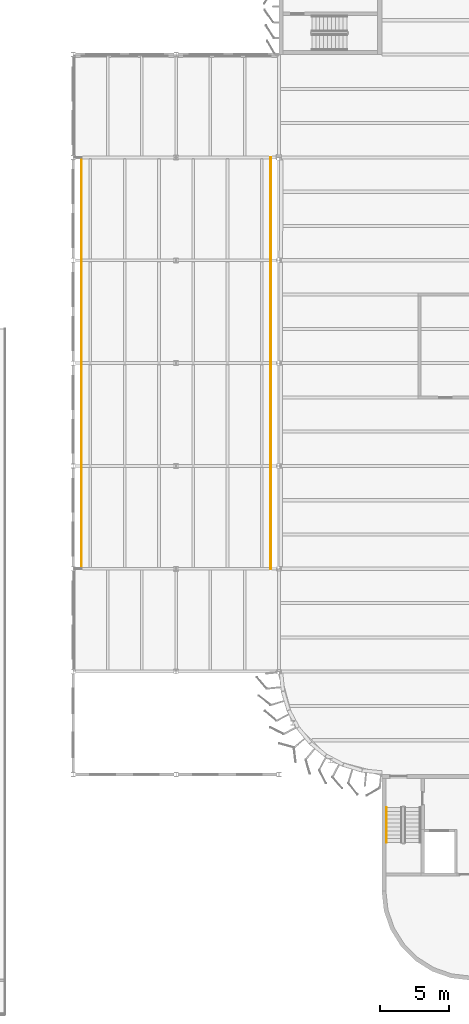
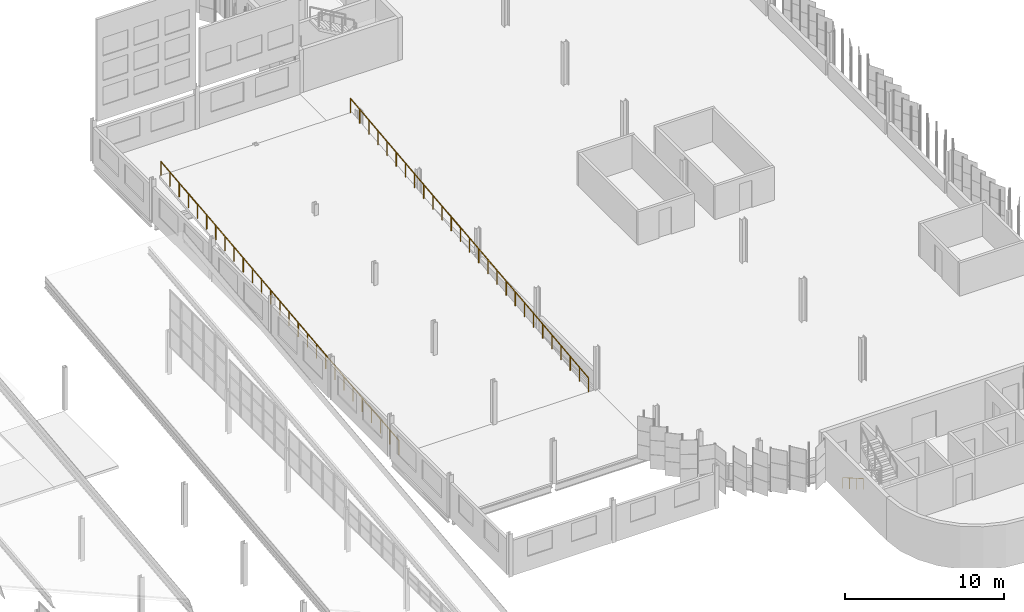
# One storey, part 188 of 199: 3 railings.
"""IFC4 building model written with IfcOpenShell, lengths in metres."""

from ifc_helpers import new_model, si_unit, direction, frame, origin, origin_2d, place, context, subcontext, project, spatial, circle, extrude, material, type_object, element, save


model = new_model("IFC4")

# Units and contexts
model_context = context("Model", 3, precision=1e-05, world=origin(), true_north=direction((0.0, 1.0)))
body_context = subcontext(model_context, "Body", "Model", "MODEL_VIEW")
ifc_project = project(units=[si_unit("LENGTHUNIT", "METRE"), si_unit("AREAUNIT", "SQUARE_METRE"), si_unit("VOLUMEUNIT", "CUBIC_METRE"), si_unit("PLANEANGLEUNIT", "RADIAN"), si_unit("MASSUNIT", "GRAM", prefix="KILO")], contexts=[model_context])

# Site, building, storey
site_placement = place(None, origin())
site = spatial("IfcSite", under=ifc_project, at=site_placement, CompositionType="ELEMENT")
building_placement = place(site_placement, origin())
building = spatial("IfcBuilding", under=site, at=building_placement, Name="Parallax Yard Mobility Hub", CompositionType="ELEMENT")
storey_placement = place(building_placement, frame((0.0, 0.0, 9.89990234375)))
storey = spatial("IfcBuildingStorey", under=building, at=storey_placement, Name="L03", CompositionType="ELEMENT", Elevation=9.89990234375)

# Railings
ifc_material = material(Name="Steel ASTM A36", Category="steel")
railing_type_1 = type_object("IfcRailingType", Name="Ramp guard 1100", PredefinedType="GUARDRAIL", material=ifc_material)
railing_1_placement = place(storey_placement, frame((180.60009765625, 37.5, 0.0)))
element("IfcRailing", 1, at=railing_1_placement, inside=storey, type_object=railing_type_1, Name="Ramp RP4 west guard", PredefinedType="GUARDRAIL", context=body_context, shape_type="SweptSolid", body=[
    extrude(circle(Radius=0.02392578125, at=origin_2d()), frame((0.0, 0.0, 1.076171875), z_axis=(0.0, 0.994004180099, 0.109342077656), x_axis=(-1.0, 0.0, 0.0)), (0.0, 0.0, 1.0), 30.180908203125),
    extrude(circle(Radius=0.02099609375, at=origin_2d()), origin(), (0.0, 0.0, 1.0), 1.052001953125),
    extrude(circle(Radius=0.02099609375, at=origin_2d()), frame((0.0, 1.15380859375, 0.126953125)), (0.0, 0.0, 1.0), 1.052001953125),
    extrude(circle(Radius=0.02099609375, at=origin_2d()), frame((0.0, 2.3076171875, 0.25390625)), (0.0, 0.0, 1.0), 1.052001953125),
    extrude(circle(Radius=0.02099609375, at=origin_2d()), frame((0.0, 3.46142578125, 0.380859375)), (0.0, 0.0, 1.0), 1.052001953125),
    extrude(circle(Radius=0.02099609375, at=origin_2d()), frame((0.0, 4.615478515625, 0.5078125)), (0.0, 0.0, 1.0), 1.052001953125),
    extrude(circle(Radius=0.02099609375, at=origin_2d()), frame((0.0, 5.769287109375, 0.634521484375)), (0.0, 0.0, 1.0), 1.052001953125),
    extrude(circle(Radius=0.02099609375, at=origin_2d()), frame((0.0, 6.923095703125, 0.761474609375)), (0.0, 0.0, 1.0), 1.052001953125),
    extrude(circle(Radius=0.02099609375, at=origin_2d()), frame((0.0, 8.076904296875, 0.888427734375)), (0.0, 0.0, 1.0), 1.052001953125),
    extrude(circle(Radius=0.02099609375, at=origin_2d()), frame((0.0, 9.230712890625, 1.015380859375)), (0.0, 0.0, 1.0), 1.052001953125),
    extrude(circle(Radius=0.02099609375, at=origin_2d()), frame((0.0, 10.384521484375, 1.142333984375)), (0.0, 0.0, 1.0), 1.052001953125),
    extrude(circle(Radius=0.02099609375, at=origin_2d()), frame((0.0, 11.53857421875, 1.269287109375)), (0.0, 0.0, 1.0), 1.052001953125),
    extrude(circle(Radius=0.02099609375, at=origin_2d()), frame((0.0, 12.6923828125, 1.396240234375)), (0.0, 0.0, 1.0), 1.052001953125),
    extrude(circle(Radius=0.02099609375, at=origin_2d()), frame((0.0, 13.84619140625, 1.523193359375)), (0.0, 0.0, 1.0), 1.052001953125),
    extrude(circle(Radius=0.02099609375, at=origin_2d()), frame((0.0, 15.0, 1.64990234375)), (0.0, 0.0, 1.0), 1.052001953125),
    extrude(circle(Radius=0.02099609375, at=origin_2d()), frame((0.0, 16.15380859375, 1.77685546875)), (0.0, 0.0, 1.0), 1.052001953125),
    extrude(circle(Radius=0.02099609375, at=origin_2d()), frame((0.0, 17.3076171875, 1.90380859375)), (0.0, 0.0, 1.0), 1.052001953125),
    extrude(circle(Radius=0.02099609375, at=origin_2d()), frame((0.0, 18.46142578125, 2.03076171875)), (0.0, 0.0, 1.0), 1.052001953125),
    extrude(circle(Radius=0.02099609375, at=origin_2d()), frame((0.0, 19.615478515625, 2.15771484375)), (0.0, 0.0, 1.0), 1.052001953125),
    extrude(circle(Radius=0.02099609375, at=origin_2d()), frame((0.0, 20.769287109375, 2.28466796875)), (0.0, 0.0, 1.0), 1.052001953125),
    extrude(circle(Radius=0.02099609375, at=origin_2d()), frame((0.0, 21.923095703125, 2.41162109375)), (0.0, 0.0, 1.0), 1.052001953125),
    extrude(circle(Radius=0.02099609375, at=origin_2d()), frame((0.0, 23.076904296875, 2.53857421875)), (0.0, 0.0, 1.0), 1.052001953125),
    extrude(circle(Radius=0.02099609375, at=origin_2d()), frame((0.0, 24.230712890625, 2.66552734375)), (0.0, 0.0, 1.0), 1.052001953125),
    extrude(circle(Radius=0.02099609375, at=origin_2d()), frame((0.0, 25.384521484375, 2.792236328125)), (0.0, 0.0, 1.0), 1.052001953125),
    extrude(circle(Radius=0.02099609375, at=origin_2d()), frame((0.0, 26.53857421875, 2.919189453125)), (0.0, 0.0, 1.0), 1.052001953125),
    extrude(circle(Radius=0.02099609375, at=origin_2d()), frame((0.0, 27.6923828125, 3.046142578125)), (0.0, 0.0, 1.0), 1.052001953125),
    extrude(circle(Radius=0.02099609375, at=origin_2d()), frame((0.0, 28.84619140625, 3.173095703125)), (0.0, 0.0, 1.0), 1.052001953125),
    extrude(circle(Radius=0.02099609375, at=origin_2d()), frame((0.0, 30.0, 3.300048828125)), (0.0, 0.0, 1.0), 1.052001953125),
])
railing_2_placement = place(storey_placement, frame((194.39990234375, 37.5, 0.0)))
element("IfcRailing", 2, at=railing_2_placement, inside=storey, type_object=railing_type_1, Name="Ramp RP4 east guard", PredefinedType="GUARDRAIL", context=body_context, shape_type="SweptSolid", body=[
    extrude(circle(Radius=0.02392578125, at=origin_2d()), frame((0.0, 0.0, 1.076171875), z_axis=(0.0, 0.994004180099, 0.109342077656), x_axis=(-1.0, 0.0, 0.0)), (0.0, 0.0, 1.0), 30.180908203125),
    extrude(circle(Radius=0.02099609375, at=origin_2d()), origin(), (0.0, 0.0, 1.0), 1.052001953125),
    extrude(circle(Radius=0.02099609375, at=origin_2d()), frame((0.0, 1.15380859375, 0.126953125)), (0.0, 0.0, 1.0), 1.052001953125),
    extrude(circle(Radius=0.02099609375, at=origin_2d()), frame((0.0, 2.3076171875, 0.25390625)), (0.0, 0.0, 1.0), 1.052001953125),
    extrude(circle(Radius=0.02099609375, at=origin_2d()), frame((0.0, 3.46142578125, 0.380859375)), (0.0, 0.0, 1.0), 1.052001953125),
    extrude(circle(Radius=0.02099609375, at=origin_2d()), frame((0.0, 4.615478515625, 0.5078125)), (0.0, 0.0, 1.0), 1.052001953125),
    extrude(circle(Radius=0.02099609375, at=origin_2d()), frame((0.0, 5.769287109375, 0.634521484375)), (0.0, 0.0, 1.0), 1.052001953125),
    extrude(circle(Radius=0.02099609375, at=origin_2d()), frame((0.0, 6.923095703125, 0.761474609375)), (0.0, 0.0, 1.0), 1.052001953125),
    extrude(circle(Radius=0.02099609375, at=origin_2d()), frame((0.0, 8.076904296875, 0.888427734375)), (0.0, 0.0, 1.0), 1.052001953125),
    extrude(circle(Radius=0.02099609375, at=origin_2d()), frame((0.0, 9.230712890625, 1.015380859375)), (0.0, 0.0, 1.0), 1.052001953125),
    extrude(circle(Radius=0.02099609375, at=origin_2d()), frame((0.0, 10.384521484375, 1.142333984375)), (0.0, 0.0, 1.0), 1.052001953125),
    extrude(circle(Radius=0.02099609375, at=origin_2d()), frame((0.0, 11.53857421875, 1.269287109375)), (0.0, 0.0, 1.0), 1.052001953125),
    extrude(circle(Radius=0.02099609375, at=origin_2d()), frame((0.0, 12.6923828125, 1.396240234375)), (0.0, 0.0, 1.0), 1.052001953125),
    extrude(circle(Radius=0.02099609375, at=origin_2d()), frame((0.0, 13.84619140625, 1.523193359375)), (0.0, 0.0, 1.0), 1.052001953125),
    extrude(circle(Radius=0.02099609375, at=origin_2d()), frame((0.0, 15.0, 1.64990234375)), (0.0, 0.0, 1.0), 1.052001953125),
    extrude(circle(Radius=0.02099609375, at=origin_2d()), frame((0.0, 16.15380859375, 1.77685546875)), (0.0, 0.0, 1.0), 1.052001953125),
    extrude(circle(Radius=0.02099609375, at=origin_2d()), frame((0.0, 17.3076171875, 1.90380859375)), (0.0, 0.0, 1.0), 1.052001953125),
    extrude(circle(Radius=0.02099609375, at=origin_2d()), frame((0.0, 18.46142578125, 2.03076171875)), (0.0, 0.0, 1.0), 1.052001953125),
    extrude(circle(Radius=0.02099609375, at=origin_2d()), frame((0.0, 19.615478515625, 2.15771484375)), (0.0, 0.0, 1.0), 1.052001953125),
    extrude(circle(Radius=0.02099609375, at=origin_2d()), frame((0.0, 20.769287109375, 2.28466796875)), (0.0, 0.0, 1.0), 1.052001953125),
    extrude(circle(Radius=0.02099609375, at=origin_2d()), frame((0.0, 21.923095703125, 2.41162109375)), (0.0, 0.0, 1.0), 1.052001953125),
    extrude(circle(Radius=0.02099609375, at=origin_2d()), frame((0.0, 23.076904296875, 2.53857421875)), (0.0, 0.0, 1.0), 1.052001953125),
    extrude(circle(Radius=0.02099609375, at=origin_2d()), frame((0.0, 24.230712890625, 2.66552734375)), (0.0, 0.0, 1.0), 1.052001953125),
    extrude(circle(Radius=0.02099609375, at=origin_2d()), frame((0.0, 25.384521484375, 2.792236328125)), (0.0, 0.0, 1.0), 1.052001953125),
    extrude(circle(Radius=0.02099609375, at=origin_2d()), frame((0.0, 26.53857421875, 2.919189453125)), (0.0, 0.0, 1.0), 1.052001953125),
    extrude(circle(Radius=0.02099609375, at=origin_2d()), frame((0.0, 27.6923828125, 3.046142578125)), (0.0, 0.0, 1.0), 1.052001953125),
    extrude(circle(Radius=0.02099609375, at=origin_2d()), frame((0.0, 28.84619140625, 3.173095703125)), (0.0, 0.0, 1.0), 1.052001953125),
    extrude(circle(Radius=0.02099609375, at=origin_2d()), frame((0.0, 30.0, 3.300048828125)), (0.0, 0.0, 1.0), 1.052001953125),
])
railing_type_2 = type_object("IfcRailingType", Name="Stair handrail", PredefinedType="HANDRAIL", material=ifc_material)
railing_3_placement = place(storey_placement, frame((202.85009765625, 20.10009765625, 0.1650390625)))
element("IfcRailing", 3, at=railing_3_placement, inside=storey, type_object=railing_type_2, Name="L03 ST10 stair handrail 1", PredefinedType="HANDRAIL", context=body_context, shape_type="SweptSolid", body=[
    extrude(circle(Radius=0.02392578125, at=origin_2d()), frame((0.0, 0.0, 0.8310546875), z_axis=(0.0, -0.865426285481, 0.501036270542), x_axis=(1.0, 0.0, 0.0)), (0.0, 0.0, 1.0), 2.964111328125),
    extrude(circle(Radius=0.02099609375, at=origin_2d()), origin(), (0.0, 0.0, 1.0), 0.806884765625),
    extrude(circle(Radius=0.02099609375, at=origin_2d()), frame((0.0, -0.85498046875, 0.4951171875)), (0.0, 0.0, 1.0), 0.806884765625),
    extrude(circle(Radius=0.02099609375, at=origin_2d()), frame((0.0, -1.710205078125, 0.989990234375)), (0.0, 0.0, 1.0), 0.806884765625),
    extrude(circle(Radius=0.02099609375, at=origin_2d()), frame((0.0, -2.565185546875, 1.485107421875)), (0.0, 0.0, 1.0), 0.806884765625),
])

save(model, "model.ifc")
